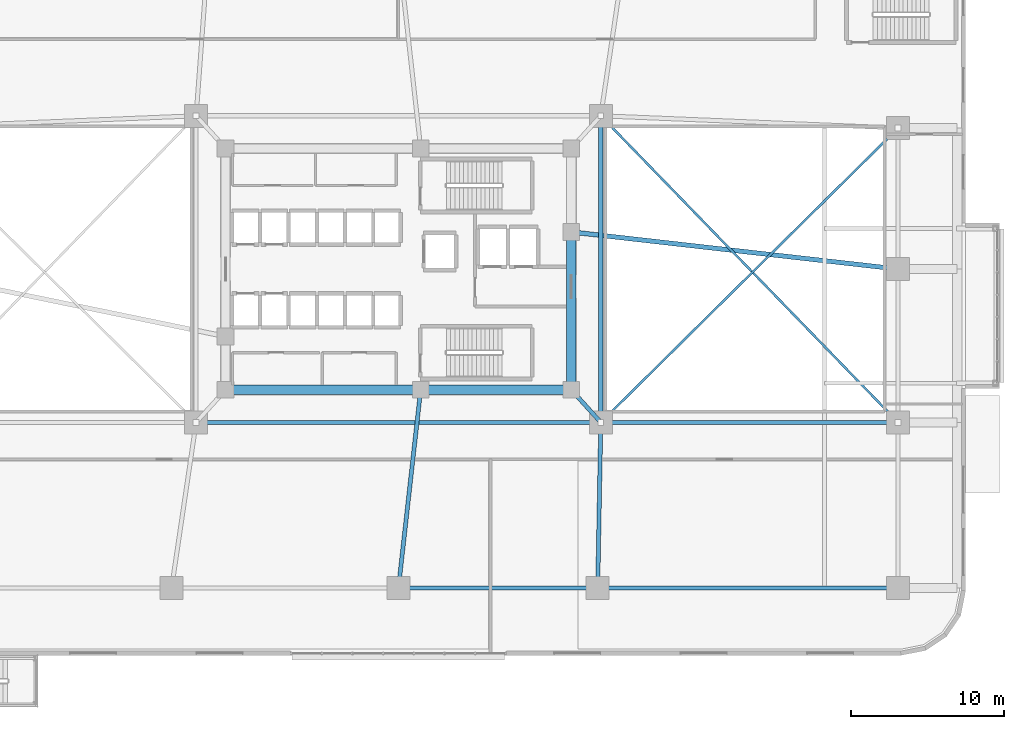
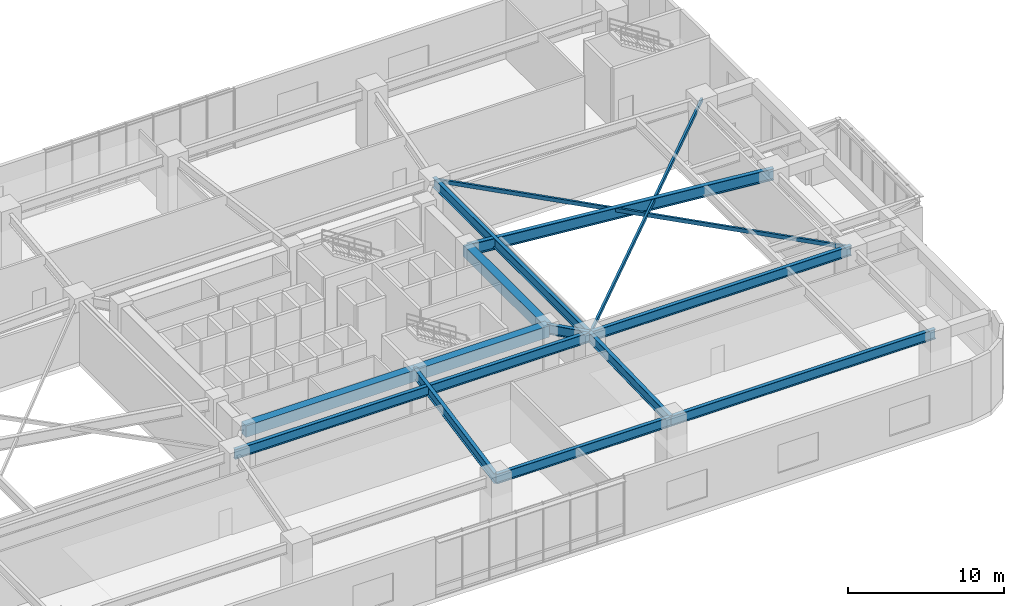
# One storey, part 6 of 26: 12 beams, 2 members.
"""IFC4 building model written with IfcOpenShell, lengths in metres."""

import ifcopenshell
import ifcopenshell.guid

model = None  # the IFC model being written
_history = None  # IfcOwnerHistory: only IFC2X3 demands one
_inside = {}  # id of a spatial element -> (the spatial element, [elements in it])
_under = {}  # id of a project, library or spatial element -> (it, [spatial elements below it])
_declared = {}  # id of a project -> (the project, [libraries it declares])
_typed = {}  # id of a type object -> (the type object, [elements of that type])
_made_of = {}  # id of a material, layer set ... -> (it, [elements and type objects made of it])


def new_model(schema):
    """Start an empty IFC model of exactly this schema.

    Asked for "IFC4X3", IfcOpenShell would pick the latest addendum, in which some entities
    have other attributes; the version numbers below select the first issue.
    IFC2X3 requires an IfcOwnerHistory on every rooted entity: one is made here for all.
    """
    global model, _history
    if schema == "IFC4X3":
        model = ifcopenshell.file(schema_version=(4, 3, 0, 0))
    else:
        model = ifcopenshell.file(schema=schema)
    _inside.clear()
    _under.clear()
    _declared.clear()
    _typed.clear()
    _made_of.clear()
    _history = None
    if model.schema == "IFC2X3":
        org = make("IfcOrganization", Name="unknown")
        user = make(
            "IfcPersonAndOrganization",
            ThePerson=make("IfcPerson", FamilyName="unknown"),
            TheOrganization=org,
        )
        app = make(
            "IfcApplication",
            ApplicationDeveloper=org,
            Version="unknown",
            ApplicationFullName="unknown",
            ApplicationIdentifier="unknown",
        )
        _history = make(
            "IfcOwnerHistory",
            OwningUser=user,
            OwningApplication=app,
            ChangeAction="ADDED",
            CreationDate=0,
        )
    return model


def make(cls, **values):
    """One entity of the class cls with the attributes given. An attribute that is None is left unset."""
    return model.create_entity(
        cls, **{name: value for name, value in values.items() if value is not None}
    )


def rooted(cls, **values):
    """An entity with a GlobalId (a new one), such as an element, a storey or a relation."""
    return make(cls, GlobalId=ifcopenshell.guid.new(), OwnerHistory=_history, **values)


def si_unit(unit_type, name, prefix=None):
    """IfcSIUnit, for example si_unit("LENGTHUNIT", "METRE", prefix="MILLI")."""
    return make("IfcSIUnit", UnitType=unit_type, Prefix=prefix, Name=name)


def assignment(units):
    """IfcUnitAssignment: the units of a project."""
    return None if units is None else make("IfcUnitAssignment", Units=units)


def point(xyz):
    """IfcCartesianPoint."""
    return None if xyz is None else make("IfcCartesianPoint", Coordinates=xyz)


def direction(xyz):
    """IfcDirection."""
    return None if xyz is None else make("IfcDirection", DirectionRatios=xyz)


def frame(location, z_axis=None, x_axis=None):
    """IfcAxis2Placement3D, a coordinate frame: its origin and axes. An axis left out is left unset."""
    return make(
        "IfcAxis2Placement3D",
        Location=point(location),
        Axis=direction(z_axis),
        RefDirection=direction(x_axis),
    )


def frame_2d(location, x_axis=None):
    """IfcAxis2Placement2D, a coordinate frame in the plane: its origin and x axis."""
    return make(
        "IfcAxis2Placement2D", Location=point(location), RefDirection=direction(x_axis)
    )


def origin():
    """The frame at (0, 0, 0) with its axes left unset."""
    return frame((0.0, 0.0, 0.0))


def origin_2d():
    """The frame at (0, 0) in the plane with its x axis left unset."""
    return frame_2d((0.0, 0.0))


def place(relative_to, where):
    """IfcLocalPlacement: puts the frame where relative to a parent placement (None: the world)."""
    return make(
        "IfcLocalPlacement", PlacementRelTo=relative_to, RelativePlacement=where
    )


def context(
    kind, dimensions, precision=None, world=None, true_north=None, identifier=None
):
    """IfcGeometricRepresentationContext, for example the 3D "Model" context."""
    return make(
        "IfcGeometricRepresentationContext",
        ContextIdentifier=identifier,
        ContextType=kind,
        CoordinateSpaceDimension=dimensions,
        Precision=precision,
        WorldCoordinateSystem=world,
        TrueNorth=true_north,
    )


def subcontext(parent, identifier, kind, view, scale=None):
    """IfcGeometricRepresentationSubContext, for example "Body" below "Model"."""
    return make(
        "IfcGeometricRepresentationSubContext",
        ContextIdentifier=identifier,
        ContextType=kind,
        ParentContext=parent,
        TargetScale=scale,
        TargetView=view,
    )


def project(units=None, contexts=None):
    """IfcProject with its units and contexts."""
    return rooted(
        "IfcProject",
        Name="project",
        RepresentationContexts=contexts,
        UnitsInContext=assignment(units),
    )


def spatial(cls, under=None, at=None, **own):
    """A site, building, storey or space (cls), placed at a placement, below another one or the project."""
    s = rooted(cls, ObjectPlacement=at, **own)
    if under is not None:
        _under.setdefault(under.id(), (under, []))[1].append(s)
    return s


def profile(cls, at=None, kind="AREA", **sizes):
    """A parametric profile (cls). Its sizes go by their IFC names, for example OverallWidth=200.0."""
    return make(cls, ProfileType=kind, Position=at, **sizes)


def rectangle(**sizes):
    """IfcRectangleProfileDef."""
    return profile("IfcRectangleProfileDef", **sizes)


def hollow_rectangle(**sizes):
    """IfcRectangleHollowProfileDef."""
    return profile("IfcRectangleHollowProfileDef", **sizes)


def i_section(**sizes):
    """IfcIShapeProfileDef."""
    return profile("IfcIShapeProfileDef", **sizes)


def extrude(swept, where, along, depth):
    """IfcExtrudedAreaSolid: the profile swept, set in the frame where, extruded along a direction by depth."""
    return make(
        "IfcExtrudedAreaSolid",
        SweptArea=swept,
        Position=where,
        ExtrudedDirection=direction(along),
        Depth=depth,
    )


def shape(context_of_items, identifier, shape_type, items):
    """IfcShapeRepresentation: the items that make up one representation, for example the "Body"."""
    return make(
        "IfcShapeRepresentation",
        ContextOfItems=context_of_items,
        RepresentationIdentifier=identifier,
        RepresentationType=shape_type,
        Items=items,
    )


def material(Name=None, Category=None):
    """IfcMaterial."""
    return make("IfcMaterial", Name=Name, Category=Category)


def material_profile(
    of_material, cross_section, Name=None, Category=None, Priority=None
):
    """IfcMaterialProfile: a cross section and its material."""
    return make(
        "IfcMaterialProfile",
        Name=Name,
        Material=of_material,
        Profile=cross_section,
        Priority=Priority,
        Category=Category,
    )


def profile_set(profiles, Name=None, composite=None):
    """IfcMaterialProfileSet."""
    return make(
        "IfcMaterialProfileSet",
        Name=Name,
        MaterialProfiles=profiles,
        CompositeProfile=composite,
    )


def made_of(thing, what):
    """Note that an element or type object is made of a material, layer set ...; save() writes the relation."""
    if what is not None:
        _made_of.setdefault(what.id(), (what, []))[1].append(thing)
    return thing


def type_object(cls, material=None, **own):
    """A type object (cls), such as IfcWallType, which elements share."""
    return made_of(rooted(cls, **own), material)


def element(
    cls,
    number,
    at=None,
    inside=None,
    cuts=None,
    type_object=None,
    material=None,
    context=None,
    identifier="Body",
    shape_type=None,
    held_by="IfcProductDefinitionShape",
    body=None,
    shapes=None,
    **own,
):
    """One element of the class cls, such as IfcWall. Its Tag is "e" and its number.

    at: its placement. inside: the storey or other place that contains it. cuts: it is an
    opening in that element (IfcRelVoidsElement). A single representation is given by context,
    identifier, shape_type and body (its items); several are given by shapes. held_by: the class
    of the entity that holds the representations. save() writes the other relations.
    """
    e = rooted(cls, Tag="e%d" % number, ObjectPlacement=at, **own)
    if body is not None:
        shapes = [shape(context, identifier, shape_type, body)]
    if shapes is not None:
        e.Representation = make(held_by, Representations=shapes)
    if inside is not None:
        _inside.setdefault(inside.id(), (inside, []))[1].append(e)
    if cuts is not None:
        rooted(
            "IfcRelVoidsElement", RelatingBuildingElement=cuts, RelatedOpeningElement=e
        )
    if type_object is not None:
        _typed.setdefault(type_object.id(), (type_object, []))[1].append(e)
    return made_of(e, material)


def aggregate(whole, parts):
    """IfcRelAggregates: a whole, such as a stair, and the parts it consists of."""
    return rooted("IfcRelAggregates", RelatingObject=whole, RelatedObjects=parts)


def save(model, path):
    """Write the relations noted so far, then the file.

    IfcRelAggregates (storeys below a building ...), IfcRelContainedInSpatialStructure (elements
    in a storey), IfcRelDefinesByType, IfcRelAssociatesMaterial and IfcRelDeclares: one each for
    every whole, place, type object, material and project.
    """
    for whole, parts in _under.values():
        aggregate(whole, parts)
    for where, things in _inside.values():
        rooted(
            "IfcRelContainedInSpatialStructure",
            RelatedElements=things,
            RelatingStructure=where,
        )
    for kind, things in _typed.values():
        rooted("IfcRelDefinesByType", RelatedObjects=things, RelatingType=kind)
    for what, things in _made_of.values():
        rooted("IfcRelAssociatesMaterial", RelatedObjects=things, RelatingMaterial=what)
    for by, libraries in _declared.values():
        rooted("IfcRelDeclares", RelatingContext=by, RelatedDefinitions=libraries)
    model.write(path)


model = new_model("IFC4")

# Units and contexts
model_context = context("Model", 3, precision=1e-05, world=origin(), true_north=direction((0.0, 1.0)))
body_context = subcontext(model_context, "Body", "Model", "MODEL_VIEW")
ifc_project = project(units=[si_unit("LENGTHUNIT", "METRE"), si_unit("AREAUNIT", "SQUARE_METRE"), si_unit("VOLUMEUNIT", "CUBIC_METRE"), si_unit("PLANEANGLEUNIT", "RADIAN"), si_unit("MASSUNIT", "GRAM", prefix="KILO")], contexts=[model_context])

# Site, building, storey
site_placement = place(None, origin())
site = spatial("IfcSite", under=ifc_project, at=site_placement, CompositionType="ELEMENT")
building_placement = place(site_placement, origin())
building = spatial("IfcBuilding", under=site, at=building_placement, Name="Zulverin Broadcast Headquarters", CompositionType="ELEMENT")
storey_placement = place(building_placement, frame((0.0, 0.0, 15.0)))
storey = spatial("IfcBuildingStorey", under=building, at=storey_placement, Name="L03", CompositionType="ELEMENT", Elevation=15.0)

# Beams
ifc_material_1 = material(Name="Concrete C60/75", Category="concrete")
ifc_material_profile_1 = material_profile(ifc_material_1, rectangle(XDim=0.60009765625, YDim=0.89990234375, at=origin_2d()), Name="Concrete C60/75", Category="concrete")
ifc_profile_set_1 = profile_set([ifc_material_profile_1], Name="Concrete C60/75")
beam_type_1 = type_object("IfcBeamType", Name="BM-CB-600x900", PredefinedType="LINTEL", material=ifc_profile_set_1)
beam_1_placement = place(storey_placement, frame((25.72509765625, 17.324951171875, 4.22998046875), z_axis=(1.0, 0.0, 0.0), x_axis=(0.0, 1.0, 0.0)))
element("IfcBeam", 1, at=beam_1_placement, inside=storey, type_object=beam_type_1, Name="L03 Core Coupling Girder K01-K02", PredefinedType="LINTEL", context=body_context, shape_type="SweptSolid", body=[
    extrude(rectangle(XDim=0.60009765625, YDim=0.89990234375, at=origin_2d()), origin(), (0.0, 0.0, 1.0), 12.724853515625),
])
beam_2_placement = place(storey_placement, frame((38.449951171875, 17.324951171875, 4.22998046875), z_axis=(1.0, 0.0, 0.0), x_axis=(0.0, 1.0, 0.0)))
element("IfcBeam", 2, at=beam_2_placement, inside=storey, type_object=beam_type_1, Name="L03 Core Coupling Girder K02-K03", PredefinedType="LINTEL", context=body_context, shape_type="SweptSolid", body=[
    extrude(rectangle(XDim=0.60009765625, YDim=0.89990234375, at=origin_2d()), origin(), (0.0, 0.0, 1.0), 9.824951171875),
])
beam_3_placement = place(storey_placement, frame((48.27490234375, 17.324951171875, 4.22998046875), z_axis=(0.0, 1.0, 0.0), x_axis=(-1.0, 0.0, 0.0)))
element("IfcBeam", 3, at=beam_3_placement, inside=storey, type_object=beam_type_1, Name="L03 Core Coupling Girder K03-K04", PredefinedType="LINTEL", context=body_context, shape_type="SweptSolid", body=[
    extrude(rectangle(XDim=0.60009765625, YDim=0.89990234375, at=origin_2d()), origin(), (0.0, 0.0, 1.0), 10.295166015625),
])
ifc_material_2 = material(Name="Structural steel S460M", Category="steel")
ifc_material_profile_2 = material_profile(ifc_material_2, i_section(OverallWidth=0.300048828125, OverallDepth=0.89990234375, WebThickness=0.0185546875, FlangeThickness=0.034912109375, at=origin_2d()), Name="Structural steel S460M", Category="steel")
ifc_profile_set_2 = profile_set([ifc_material_profile_2], Name="Structural steel S460M")
beam_type_2 = type_object("IfcBeamType", Name="BM-HEB-900", PredefinedType="BEAM", material=ifc_profile_set_2)
beam_4_placement = place(storey_placement, frame((69.60009765625, 25.199951171875, 4.22998046875), z_axis=(-0.993621718585, 0.112764712373, 0.0), x_axis=(-0.112764712373, -0.993621718585, 0.0)))
element("IfcBeam", 4, at=beam_4_placement, inside=storey, type_object=beam_type_2, Name="L03 Long-Span Studio Girder P15-K04", PredefinedType="BEAM", context=body_context, shape_type="SweptSolid", body=[
    extrude(i_section(OverallWidth=0.300048828125, OverallDepth=0.89990234375, WebThickness=0.0185546875, FlangeThickness=0.034912109375, at=origin_2d()), origin(), (0.0, 0.0, 1.0), 21.462158203125),
])
ifc_material_3 = material(Name="Structural steel S355JR", Category="steel")
ifc_material_profile_3 = material_profile(ifc_material_3, i_section(OverallWidth=0.26806640625, OverallDepth=0.769775390625, WebThickness=0.015625, FlangeThickness=0.025390625, at=origin_2d()), Name="Structural steel S355JR", Category="steel")
ifc_profile_set_3 = profile_set([ifc_material_profile_3], Name="Structural steel S355JR")
beam_type_3 = type_object("IfcBeamType", Name="BM-UB-762", PredefinedType="BEAM", material=ifc_profile_set_3)
beam_5_placement = place(storey_placement, frame((37.0, 4.39990234375, 4.295166015625), z_axis=(1.0, 0.0, 0.0), x_axis=(0.0, 1.0, 0.0)))
element("IfcBeam", 5, at=beam_5_placement, inside=storey, type_object=beam_type_3, Name="L03 Podium Primary Girder P03-P04", PredefinedType="BEAM", context=body_context, shape_type="SweptSolid", body=[
    extrude(i_section(OverallWidth=0.26806640625, OverallDepth=0.769775390625, WebThickness=0.015625, FlangeThickness=0.025390625, at=origin_2d()), origin(), (0.0, 0.0, 1.0), 13.0),
])
beam_6_placement = place(storey_placement, frame((50.0, 4.39990234375, 4.295166015625), z_axis=(1.0, 0.0, 0.0), x_axis=(0.0, 1.0, 0.0)))
element("IfcBeam", 6, at=beam_6_placement, inside=storey, type_object=beam_type_3, Name="L03 Podium Primary Girder P04-P05", PredefinedType="BEAM", context=body_context, shape_type="SweptSolid", body=[
    extrude(i_section(OverallWidth=0.26806640625, OverallDepth=0.769775390625, WebThickness=0.015625, FlangeThickness=0.025390625, at=origin_2d()), origin(), (0.0, 0.0, 1.0), 19.60009765625),
])
beam_7_placement = place(storey_placement, frame((50.199951171875, 15.199951171875, 4.295166015625), z_axis=(-0.671379160881, 0.741114041383, 0.0), x_axis=(-0.741114041383, -0.671379160881, 0.0)))
element("IfcBeam", 7, at=beam_7_placement, inside=storey, type_object=beam_type_3, Name="L03 Podium Primary Girder M02-K03", PredefinedType="BEAM", context=body_context, shape_type="SweptSolid", body=[
    extrude(i_section(OverallWidth=0.26806640625, OverallDepth=0.769775390625, WebThickness=0.015625, FlangeThickness=0.025390625, at=origin_2d()), origin(), (0.0, 0.0, 1.0), 2.8671875),
])
beam_8_placement = place(storey_placement, frame((23.800048828125, 15.199951171875, 4.295166015625), z_axis=(1.0, 0.0, 0.0), x_axis=(0.0, 1.0, 0.0)))
element("IfcBeam", 8, at=beam_8_placement, inside=storey, type_object=beam_type_3, Name="L03 Podium Primary Girder M01-M02", PredefinedType="BEAM", context=body_context, shape_type="SweptSolid", body=[
    extrude(i_section(OverallWidth=0.26806640625, OverallDepth=0.769775390625, WebThickness=0.015625, FlangeThickness=0.025390625, at=origin_2d()), origin(), (0.0, 0.0, 1.0), 26.39990234375),
])
beam_9_placement = place(storey_placement, frame((50.199951171875, 15.199951171875, 4.295166015625), z_axis=(0.0, 1.0, 0.0), x_axis=(-1.0, 0.0, 0.0)))
element("IfcBeam", 9, at=beam_9_placement, inside=storey, type_object=beam_type_3, Name="L03 Podium Primary Girder M02-M03", PredefinedType="BEAM", context=body_context, shape_type="SweptSolid", body=[
    extrude(i_section(OverallWidth=0.26806640625, OverallDepth=0.769775390625, WebThickness=0.015625, FlangeThickness=0.025390625, at=origin_2d()), origin(), (0.0, 0.0, 1.0), 20.0),
])
beam_10_placement = place(storey_placement, frame((37.0, 4.39990234375, 4.295166015625), z_axis=(0.111482194079, 0.993766431514, 0.0), x_axis=(-0.993766431514, 0.111482194079, 0.0)))
element("IfcBeam", 10, at=beam_10_placement, inside=storey, type_object=beam_type_3, Name="L03 Podium Primary Girder P03-K02", PredefinedType="BEAM", context=body_context, shape_type="SweptSolid", body=[
    extrude(i_section(OverallWidth=0.26806640625, OverallDepth=0.769775390625, WebThickness=0.015625, FlangeThickness=0.025390625, at=origin_2d()), origin(), (0.0, 0.0, 1.0), 13.006103515625),
])
beam_11_placement = place(storey_placement, frame((50.0, 4.39990234375, 4.295166015625), z_axis=(0.018510741547, 0.999828661545, 0.0), x_axis=(-0.999828661545, 0.018510741547, 0.0)))
element("IfcBeam", 11, at=beam_11_placement, inside=storey, type_object=beam_type_3, Name="L03 Podium Primary Girder P04-M02", PredefinedType="BEAM", context=body_context, shape_type="SweptSolid", body=[
    extrude(i_section(OverallWidth=0.26806640625, OverallDepth=0.769775390625, WebThickness=0.015625, FlangeThickness=0.025390625, at=origin_2d()), origin(), (0.0, 0.0, 1.0), 10.802001953125),
])
beam_12_placement = place(storey_placement, frame((50.199951171875, 15.199951171875, 4.295166015625), z_axis=(1.0, 0.0, 0.0), x_axis=(0.0, 1.0, 0.0)))
element("IfcBeam", 12, at=beam_12_placement, inside=storey, type_object=beam_type_3, Name="L03 East Studio South Tie Girder", PredefinedType="BEAM", context=body_context, shape_type="SweptSolid", body=[
    extrude(i_section(OverallWidth=0.26806640625, OverallDepth=0.769775390625, WebThickness=0.015625, FlangeThickness=0.025390625, at=origin_2d()), origin(), (0.0, 0.0, 1.0), 19.400146484375),
])

# Members
ifc_material_profile_4 = material_profile(ifc_material_3, hollow_rectangle(XDim=0.14990234375, YDim=0.300048828125, WallThickness=0.012451171875, at=origin_2d()), Name="Structural steel S355JR", Category="steel")
ifc_profile_set_4 = profile_set([ifc_material_profile_4], Name="Structural steel S355JR")
member_type = type_object("IfcMemberType", Name="MBR-TMD-STRUT", PredefinedType="STRUT", material=ifc_profile_set_4)
member_1_placement = place(storey_placement, frame((69.60009765625, 15.199951171875, 4.429931640625), z_axis=(-0.696260638116, 0.717789052445, 0.0), x_axis=(-0.717789052445, -0.696260638116, 0.0)))
element("IfcMember", 13, at=member_1_placement, inside=storey, type_object=member_type, Name="L03 Studio Roof Lateral Strut STR-3", PredefinedType="STRUT", context=body_context, shape_type="SweptSolid", body=[
    extrude(hollow_rectangle(XDim=0.14990234375, YDim=0.300048828125, WallThickness=0.012451171875, at=origin_2d()), origin(), (0.0, 0.0, 1.0), 27.86328125),
])
member_2_placement = place(storey_placement, frame((69.60009765625, 34.39990234375, 4.429931640625), z_axis=(-0.71076455626, -0.703429986257, 0.0), x_axis=(0.703429986257, -0.71076455626, 0.0)))
element("IfcMember", 14, at=member_2_placement, inside=storey, type_object=member_type, Name="L03 Studio Roof Lateral Strut STR-4", PredefinedType="STRUT", context=body_context, shape_type="SweptSolid", body=[
    extrude(hollow_rectangle(XDim=0.14990234375, YDim=0.300048828125, WallThickness=0.012451171875, at=origin_2d()), origin(), (0.0, 0.0, 1.0), 27.294677734375),
])

save(model, "model.ifc")
